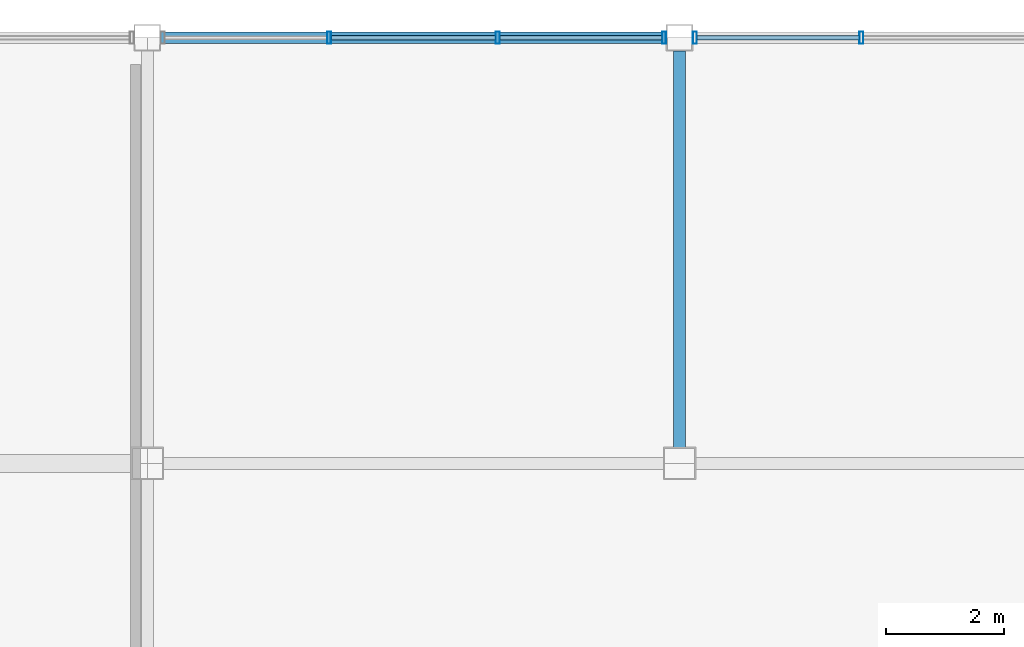
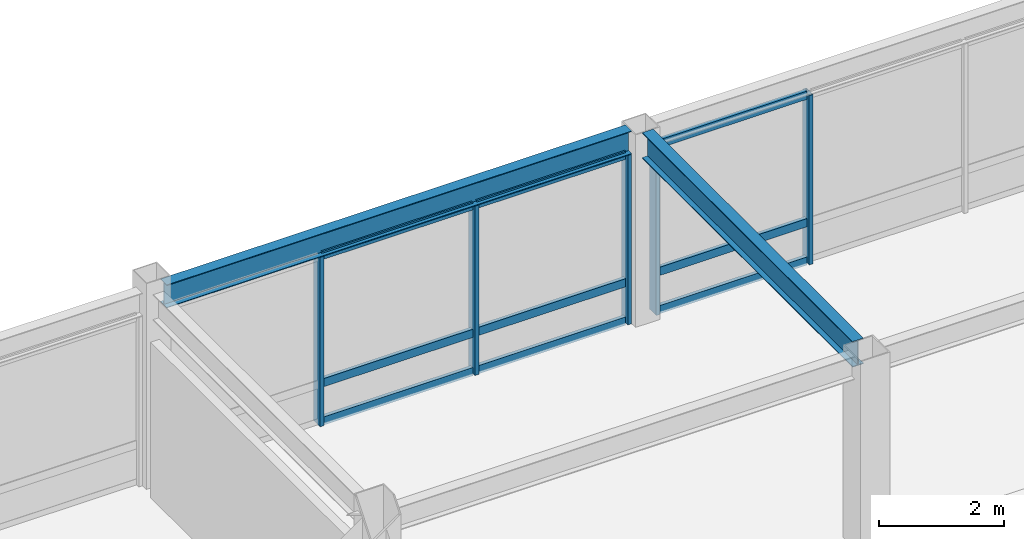
# One storey, part 69 of 113: 14 members, 2 beams, 2 elements without a shape of their own.
"""IFC4 building model written with IfcOpenShell, lengths in metres."""

from ifc_helpers import new_model, si_unit, direction, frame, origin, origin_2d, place, context, subcontext, project, spatial, hollow_rectangle, i_section, extrude, material, material_profile, profile_set, type_object, element, aggregate, save


model = new_model("IFC4")

# Units and contexts
model_context = context("Model", 3, precision=1e-05, world=origin(), true_north=direction((0.0, 1.0)))
body_context = subcontext(model_context, "Body", "Model", "MODEL_VIEW")
ifc_project = project(units=[si_unit("LENGTHUNIT", "METRE"), si_unit("AREAUNIT", "SQUARE_METRE"), si_unit("VOLUMEUNIT", "CUBIC_METRE"), si_unit("PLANEANGLEUNIT", "RADIAN"), si_unit("MASSUNIT", "GRAM", prefix="KILO")], contexts=[model_context])

# Site, building, storey
site_placement = place(None, origin())
site = spatial("IfcSite", under=ifc_project, at=site_placement, CompositionType="ELEMENT")
building_placement = place(site_placement, origin())
building = spatial("IfcBuilding", under=site, at=building_placement, Name="Kazanami Central Library", CompositionType="ELEMENT")
storey_placement = place(building_placement, frame((0.0, 0.0, 8.800048828125)))
storey = spatial("IfcBuildingStorey", under=building, at=storey_placement, Name="L03", CompositionType="ELEMENT", Elevation=8.800048828125)

# Beams
ifc_material_1 = material(Name="Steel SN490B (325 MPa)", Category="steel")
ifc_material_profile_1 = material_profile(ifc_material_1, i_section(OverallWidth=0.199951171875, OverallDepth=0.5, WebThickness=0.010009765625, FlangeThickness=0.01611328125, at=origin_2d()), Name="H-500x200x10x16")
ifc_profile_set_1 = profile_set([ifc_material_profile_1], Name="Steel SN490B (325 MPa)")
beam_type_1 = type_object("IfcBeamType", Name="BM-G-Y2", PredefinedType="BEAM", material=ifc_profile_set_1)
beam_1_placement = place(storey_placement, frame((72.0, 86.673095703125, 3.494873046875), z_axis=(0.0, 1.0, 0.0), x_axis=(-1.0, 0.0, 0.0)))
element("IfcBeam", 1, at=beam_1_placement, inside=storey, type_object=beam_type_1, Name="Girder G-Y2 L03 9/N-O", PredefinedType="BEAM", context=body_context, shape_type="SweptSolid", body=[
    extrude(i_section(OverallWidth=0.199951171875, OverallDepth=0.5, WebThickness=0.010009765625, FlangeThickness=0.01611328125, at=origin_2d()), origin(), (0.0, 0.0, 1.0), 6.703857421875),
])
ifc_material_profile_2 = material_profile(ifc_material_1, i_section(OverallWidth=0.199951171875, OverallDepth=0.449951171875, WebThickness=0.009033203125, FlangeThickness=0.013916015625, at=origin_2d()), Name="H-450x200x9x14")
ifc_profile_set_2 = profile_set([ifc_material_profile_2], Name="Steel SN490B (325 MPa)")
beam_type_2 = type_object("IfcBeamType", Name="BM-SP-2", PredefinedType="SPANDREL", material=ifc_profile_set_2)
beam_2_placement = place(storey_placement, frame((63.222900390625, 93.60009765625, 3.52001953125), z_axis=(1.0, 0.0, 0.0), x_axis=(0.0, 1.0, 0.0)))
element("IfcBeam", 2, at=beam_2_placement, inside=storey, type_object=beam_type_2, Name="Girder SP-2 L03 O/8-9", PredefinedType="SPANDREL", context=body_context, shape_type="SweptSolid", body=[
    extrude(i_section(OverallWidth=0.199951171875, OverallDepth=0.449951171875, WebThickness=0.009033203125, FlangeThickness=0.013916015625, at=origin_2d()), origin(), (0.0, 0.0, 1.0), 8.55419921875),
])

# Curtain wall, members
ifc_material_2 = material(Name="Acid-Etched Low-E Laminated Glass", Category="glass")
curtain_wall_type = type_object("IfcCurtainWallType", Name="CW-8550x3295-M275", PredefinedType="USERDEFINED", material=ifc_material_2)
curtain_wall_1_placement = place(storey_placement, origin())
curtain_wall_1 = element("IfcCurtainWall", 3, at=curtain_wall_1_placement, inside=storey, type_object=curtain_wall_type, Name="Unitised Curtain Wall CW-30 L03 N-O-07", ObjectType="UNITISED CURTAIN WALL", PredefinedType="USERDEFINED")
ifc_material_3 = material(Name="Anodised Aluminium A6063-T5", Category="aluminium")
ifc_material_profile_3 = material_profile(ifc_material_3, hollow_rectangle(XDim=0.070068359375, YDim=0.2099609375, WallThickness=0.0048828125, at=origin_2d()), Name="ALU-MULL-70x210x5")
ifc_profile_set_3 = profile_set([ifc_material_profile_3], Name="Anodised Aluminium A6063-T5")
member_type_1 = type_object("IfcMemberType", Name="MEM-CW-M1", PredefinedType="MULLION", material=ifc_profile_set_3)
member_1_placement = place(storey_placement, frame((71.739990234375, 93.60009765625, 0.0), z_axis=(0.0, 0.0, 1.0), x_axis=(-1.0, 0.0, 0.0)))
member_1 = element("IfcMember", 4, at=member_1_placement, type_object=member_type_1, Name="CW-30 mullion 1", PredefinedType="MULLION", context=body_context, shape_type="SweptSolid", body=[
    extrude(hollow_rectangle(XDim=0.070068359375, YDim=0.2099609375, WallThickness=0.0048828125, at=origin_2d()), origin(), (0.0, 0.0, 1.0), 3.294921875),
])
member_2_placement = place(storey_placement, frame((68.925048828125, 93.60009765625, 0.0), z_axis=(0.0, 0.0, 1.0), x_axis=(-1.0, 0.0, 0.0)))
member_2 = element("IfcMember", 5, at=member_2_placement, type_object=member_type_1, Name="CW-30 mullion 2", PredefinedType="MULLION", context=body_context, shape_type="SweptSolid", body=[
    extrude(hollow_rectangle(XDim=0.070068359375, YDim=0.2099609375, WallThickness=0.0048828125, at=origin_2d()), origin(), (0.0, 0.0, 1.0), 3.294921875),
])
member_3_placement = place(storey_placement, frame((66.074951171875, 93.60009765625, 0.0), z_axis=(0.0, 0.0, 1.0), x_axis=(-1.0, 0.0, 0.0)))
member_3 = element("IfcMember", 6, at=member_3_placement, type_object=member_type_1, Name="CW-30 mullion 3", PredefinedType="MULLION", context=body_context, shape_type="SweptSolid", body=[
    extrude(hollow_rectangle(XDim=0.070068359375, YDim=0.2099609375, WallThickness=0.0048828125, at=origin_2d()), origin(), (0.0, 0.0, 1.0), 3.294921875),
])

curtain_wall_2_placement = place(storey_placement, origin())
curtain_wall_2 = element("IfcCurtainWall", 7, at=curtain_wall_2_placement, inside=storey, type_object=curtain_wall_type, Name="Unitised Curtain Wall CW-30 L03 N-O-08", ObjectType="UNITISED CURTAIN WALL", PredefinedType="USERDEFINED")
member_4_placement = place(storey_placement, frame((75.074951171875, 93.60009765625, 0.0), z_axis=(0.0, 0.0, 1.0), x_axis=(-1.0, 0.0, 0.0)))
member_4 = element("IfcMember", 8, at=member_4_placement, type_object=member_type_1, Name="CW-30 mullion 3", PredefinedType="MULLION", context=body_context, shape_type="SweptSolid", body=[
    extrude(hollow_rectangle(XDim=0.070068359375, YDim=0.2099609375, WallThickness=0.0048828125, at=origin_2d()), origin(), (0.0, 0.0, 1.0), 3.294921875),
])
member_5_placement = place(storey_placement, frame((72.260009765625, 93.60009765625, 0.0), z_axis=(0.0, 0.0, 1.0), x_axis=(-1.0, 0.0, 0.0)))
member_5 = element("IfcMember", 9, at=member_5_placement, type_object=member_type_1, Name="CW-30 mullion 4", PredefinedType="MULLION", context=body_context, shape_type="SweptSolid", body=[
    extrude(hollow_rectangle(XDim=0.070068359375, YDim=0.2099609375, WallThickness=0.0048828125, at=origin_2d()), origin(), (0.0, 0.0, 1.0), 3.294921875),
])

# Member
ifc_material_profile_4 = material_profile(ifc_material_3, hollow_rectangle(XDim=0.070068359375, YDim=0.159912109375, WallThickness=0.00390625, at=origin_2d()), Name="ALU-TRAN-70x160x4")
ifc_profile_set_4 = profile_set([ifc_material_profile_4], Name="Anodised Aluminium A6063-T5")
member_type_2 = type_object("IfcMemberType", Name="MEM-CW-T1", PredefinedType="USERDEFINED", material=ifc_profile_set_4)
member_6_placement = place(storey_placement, frame((71.705078125, 93.60009765625, 0.034912109375), z_axis=(-1.0, 0.0, 0.0), x_axis=(0.0, -1.0, 0.0)))
member_6 = element("IfcMember", 10, at=member_6_placement, type_object=member_type_2, Name="CW-30 transom 1.1", ObjectType="TRANSOM", PredefinedType="USERDEFINED", context=body_context, shape_type="SweptSolid", body=[
    extrude(hollow_rectangle(XDim=0.070068359375, YDim=0.159912109375, WallThickness=0.00390625, at=origin_2d()), origin(), (0.0, 0.0, 1.0), 2.7451171875),
])

member_7_placement = place(storey_placement, frame((71.705078125, 93.60009765625, 0.780029296875), z_axis=(-1.0, 0.0, 0.0), x_axis=(0.0, -1.0, 0.0)))
member_7 = element("IfcMember", 11, at=member_7_placement, type_object=member_type_2, Name="CW-30 transom 1.2", ObjectType="TRANSOM", PredefinedType="USERDEFINED", context=body_context, shape_type="SweptSolid", body=[
    extrude(hollow_rectangle(XDim=0.070068359375, YDim=0.159912109375, WallThickness=0.00390625, at=origin_2d()), origin(), (0.0, 0.0, 1.0), 2.7451171875),
])

member_8_placement = place(storey_placement, frame((71.705078125, 93.60009765625, 3.260009765625), z_axis=(-1.0, 0.0, 0.0), x_axis=(0.0, -1.0, 0.0)))
member_8 = element("IfcMember", 12, at=member_8_placement, type_object=member_type_2, Name="CW-30 transom 1.3", ObjectType="TRANSOM", PredefinedType="USERDEFINED", context=body_context, shape_type="SweptSolid", body=[
    extrude(hollow_rectangle(XDim=0.070068359375, YDim=0.159912109375, WallThickness=0.00390625, at=origin_2d()), origin(), (0.0, 0.0, 1.0), 2.7451171875),
])

member_9_placement = place(storey_placement, frame((68.889892578125, 93.60009765625, 0.034912109375), z_axis=(-1.0, 0.0, 0.0), x_axis=(0.0, -1.0, 0.0)))
member_9 = element("IfcMember", 13, at=member_9_placement, type_object=member_type_2, Name="CW-30 transom 2.1", ObjectType="TRANSOM", PredefinedType="USERDEFINED", context=body_context, shape_type="SweptSolid", body=[
    extrude(hollow_rectangle(XDim=0.070068359375, YDim=0.159912109375, WallThickness=0.00390625, at=origin_2d()), origin(), (0.0, 0.0, 1.0), 2.77978515625),
])

member_10_placement = place(storey_placement, frame((68.889892578125, 93.60009765625, 0.780029296875), z_axis=(-1.0, 0.0, 0.0), x_axis=(0.0, -1.0, 0.0)))
member_10 = element("IfcMember", 14, at=member_10_placement, type_object=member_type_2, Name="CW-30 transom 2.2", ObjectType="TRANSOM", PredefinedType="USERDEFINED", context=body_context, shape_type="SweptSolid", body=[
    extrude(hollow_rectangle(XDim=0.070068359375, YDim=0.159912109375, WallThickness=0.00390625, at=origin_2d()), origin(), (0.0, 0.0, 1.0), 2.77978515625),
])

member_11_placement = place(storey_placement, frame((68.889892578125, 93.60009765625, 3.260009765625), z_axis=(-1.0, 0.0, 0.0), x_axis=(0.0, -1.0, 0.0)))
member_11 = element("IfcMember", 15, at=member_11_placement, type_object=member_type_2, Name="CW-30 transom 2.3", ObjectType="TRANSOM", PredefinedType="USERDEFINED", context=body_context, shape_type="SweptSolid", body=[
    extrude(hollow_rectangle(XDim=0.070068359375, YDim=0.159912109375, WallThickness=0.00390625, at=origin_2d()), origin(), (0.0, 0.0, 1.0), 2.77978515625),
])

aggregate(curtain_wall_1, [member_1, member_2, member_3, member_6, member_7, member_8, member_9, member_10, member_11])

member_12_placement = place(storey_placement, frame((75.0400390625, 93.60009765625, 0.034912109375), z_axis=(-1.0, 0.0, 0.0), x_axis=(0.0, -1.0, 0.0)))
member_12 = element("IfcMember", 16, at=member_12_placement, type_object=member_type_2, Name="CW-30 transom 3.1", ObjectType="TRANSOM", PredefinedType="USERDEFINED", context=body_context, shape_type="SweptSolid", body=[
    extrude(hollow_rectangle(XDim=0.070068359375, YDim=0.159912109375, WallThickness=0.00390625, at=origin_2d()), origin(), (0.0, 0.0, 1.0), 2.7451171875),
])

member_13_placement = place(storey_placement, frame((75.0400390625, 93.60009765625, 0.780029296875), z_axis=(-1.0, 0.0, 0.0), x_axis=(0.0, -1.0, 0.0)))
member_13 = element("IfcMember", 17, at=member_13_placement, type_object=member_type_2, Name="CW-30 transom 3.2", ObjectType="TRANSOM", PredefinedType="USERDEFINED", context=body_context, shape_type="SweptSolid", body=[
    extrude(hollow_rectangle(XDim=0.070068359375, YDim=0.159912109375, WallThickness=0.00390625, at=origin_2d()), origin(), (0.0, 0.0, 1.0), 2.7451171875),
])

member_14_placement = place(storey_placement, frame((75.0400390625, 93.60009765625, 3.260009765625), z_axis=(-1.0, 0.0, 0.0), x_axis=(0.0, -1.0, 0.0)))
member_14 = element("IfcMember", 18, at=member_14_placement, type_object=member_type_2, Name="CW-30 transom 3.3", ObjectType="TRANSOM", PredefinedType="USERDEFINED", context=body_context, shape_type="SweptSolid", body=[
    extrude(hollow_rectangle(XDim=0.070068359375, YDim=0.159912109375, WallThickness=0.00390625, at=origin_2d()), origin(), (0.0, 0.0, 1.0), 2.7451171875),
])

aggregate(curtain_wall_2, [member_4, member_5, member_12, member_13, member_14])

save(model, "model.ifc")
